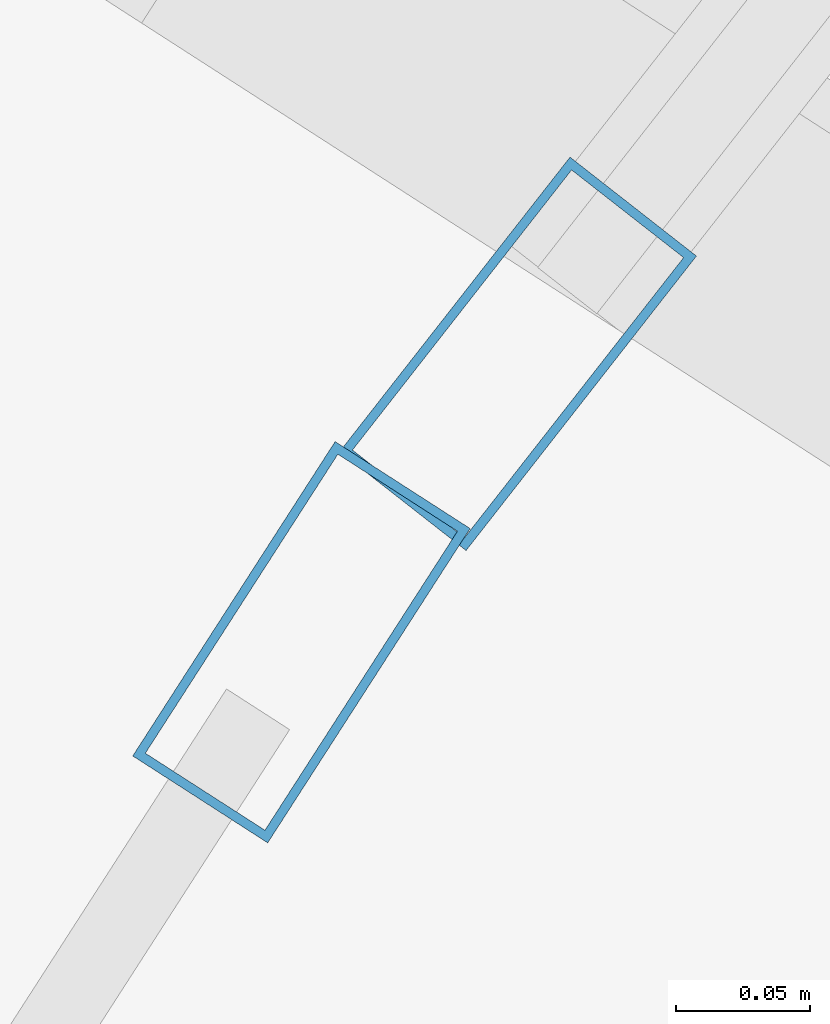
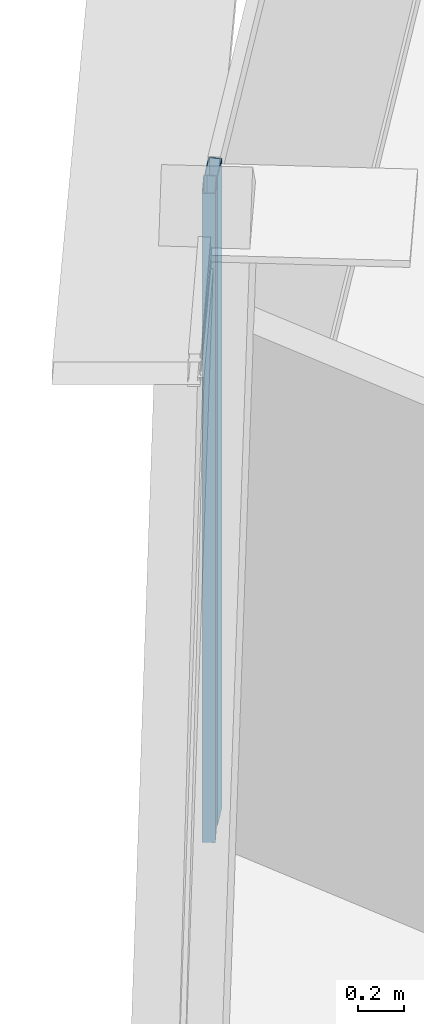
# One storey, part 16 of 35: 2 members, 2 elements without a shape of their own.
"""IFC4 building model written with IfcOpenShell, lengths in metres."""

from ifc_helpers import new_model, si_unit, direction, frame, origin, origin_2d, place, context, subcontext, project, spatial, hollow_rectangle, extrude, source, transform, mapped, material, layer, layer_set, material_profile, profile_set, type_object, element, aggregate, save


model = new_model("IFC4")

# Units and contexts
model_context = context("Model", 3, precision=1e-05, world=origin(), true_north=direction((0.0, 1.0)))
body_context = subcontext(model_context, "Body", "Model", "MODEL_VIEW")
ifc_project = project(units=[si_unit("LENGTHUNIT", "METRE"), si_unit("AREAUNIT", "SQUARE_METRE"), si_unit("VOLUMEUNIT", "CUBIC_METRE"), si_unit("PLANEANGLEUNIT", "RADIAN"), si_unit("MASSUNIT", "GRAM", prefix="KILO"), si_unit("THERMODYNAMICTEMPERATUREUNIT", "KELVIN"), si_unit("POWERUNIT", "WATT")], contexts=[model_context])

# Site, building, storey
site_placement = place(None, origin())
site = spatial("IfcSite", under=ifc_project, at=site_placement, CompositionType="ELEMENT")
building_placement = place(site_placement, origin())
building = spatial("IfcBuilding", under=site, at=building_placement, Name="Yunzhuo Pagoda Commons", CompositionType="ELEMENT")
storey_placement = place(building_placement, frame((0.0, 0.0, 237.070068359375)))
storey = spatial("IfcBuildingStorey", under=building, at=storey_placement, Name="L59", CompositionType="ELEMENT", Elevation=237.070068359375)

# Curtain wall, member
ifc_material = material(Name="Anodized aluminium 6063-T6", Category="aluminium")
ifc_layer = layer(ifc_material, 0.139892578125)
ifc_layer_set = layer_set([ifc_layer], Name="Anodized aluminium 6063-T6")
curtain_wall_type = type_object("IfcCurtainWallType", Name="CW-HI High-Zone Ribbon Curtain Wall", PredefinedType="NOTDEFINED", material=ifc_layer_set)
curtain_wall_1_placement = place(storey_placement, origin())
curtain_wall_1 = element("IfcCurtainWall", 1, at=curtain_wall_1_placement, inside=storey, type_object=curtain_wall_type, Name="L59 curtain wall CW-L59-F3B2", PredefinedType="NOTDEFINED")
ifc_material_profile = material_profile(ifc_material, hollow_rectangle(XDim=0.06005859375, YDim=0.139892578125, WallThickness=0.00341796875, at=origin_2d()), Name="Anodized aluminium 6063-T6")
ifc_profile_set = profile_set([ifc_material_profile], Name="Anodized aluminium 6063-T6")
member_type = type_object("IfcMemberType", Name="CW-HI-M Mullion RHS 140x60x3.5", PredefinedType="MULLION", material=ifc_profile_set)
shared_shape = source(origin(), body_context, "Body", "SweptSolid", [
    extrude(hollow_rectangle(XDim=0.06005859375, YDim=0.139892578125, WallThickness=0.00341796875, at=origin_2d()), origin(), (0.0, 0.0, 1.0), 3.469970703125),
])
member_1_placement = place(storey_placement, frame((33.1806640625, 66.9228515625, 0.0), z_axis=(0.0, 0.0, 1.0), x_axis=(0.840807373352, -0.541334426133, 0.0)))
member_1 = element("IfcMember", 2, at=member_1_placement, type_object=member_type, Name="CW mullion 1", PredefinedType="MULLION", context=body_context, shape_type="MappedRepresentation", body=[
    mapped(shared_shape, transform((0.0, 0.0, 0.0), scale=1.0)),
])
aggregate(curtain_wall_1, [member_1])

curtain_wall_2_placement = place(storey_placement, origin())
curtain_wall_2 = element("IfcCurtainWall", 3, at=curtain_wall_2_placement, inside=storey, type_object=curtain_wall_type, Name="L59 curtain wall CW-L59-F3B1", PredefinedType="NOTDEFINED")
member_2_placement = place(storey_placement, frame((33.26171875, 67.03076171875, 0.0), z_axis=(0.0, 0.0, 1.0), x_axis=(0.787639445288, -0.616136433127, 0.0)))
member_2 = element("IfcMember", 4, at=member_2_placement, type_object=member_type, Name="CW mullion 2", PredefinedType="MULLION", context=body_context, shape_type="MappedRepresentation", body=[
    mapped(shared_shape, transform((0.0, 0.0, 0.0), scale=1.0)),
])
aggregate(curtain_wall_2, [member_2])

save(model, "model.ifc")
